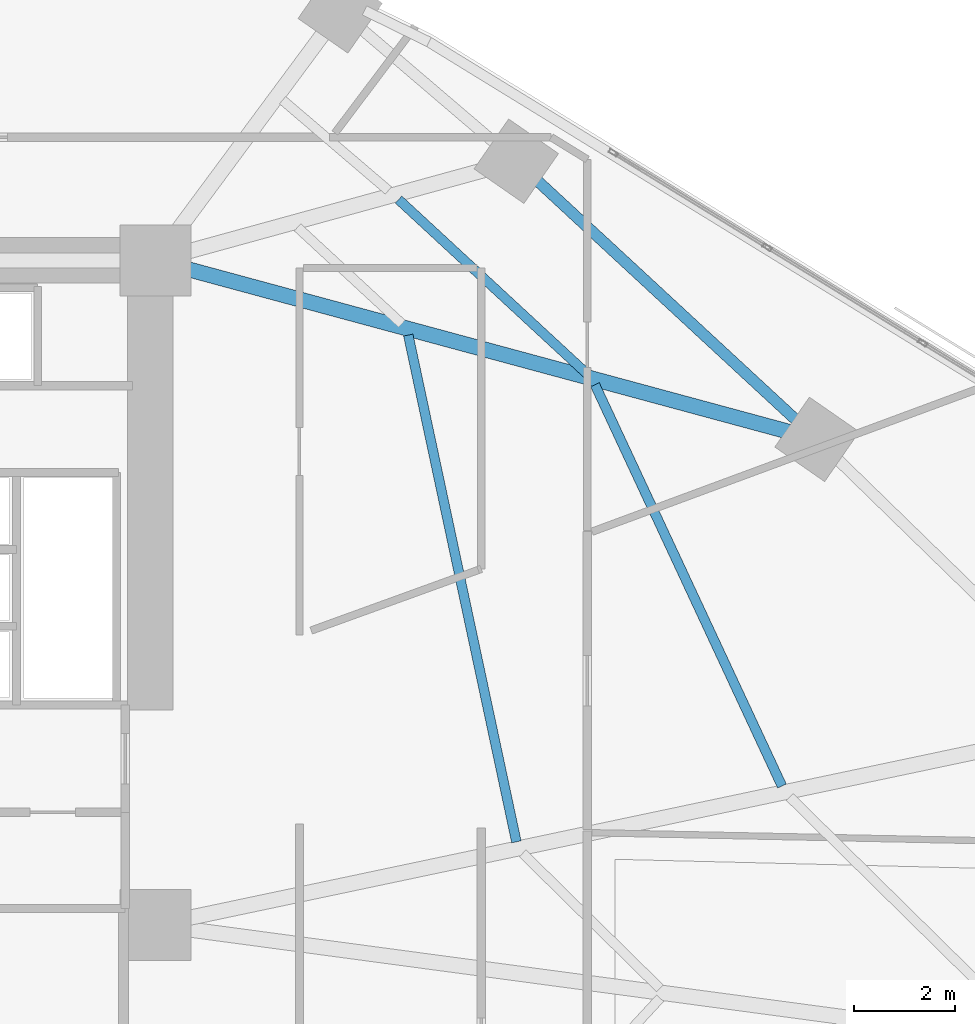
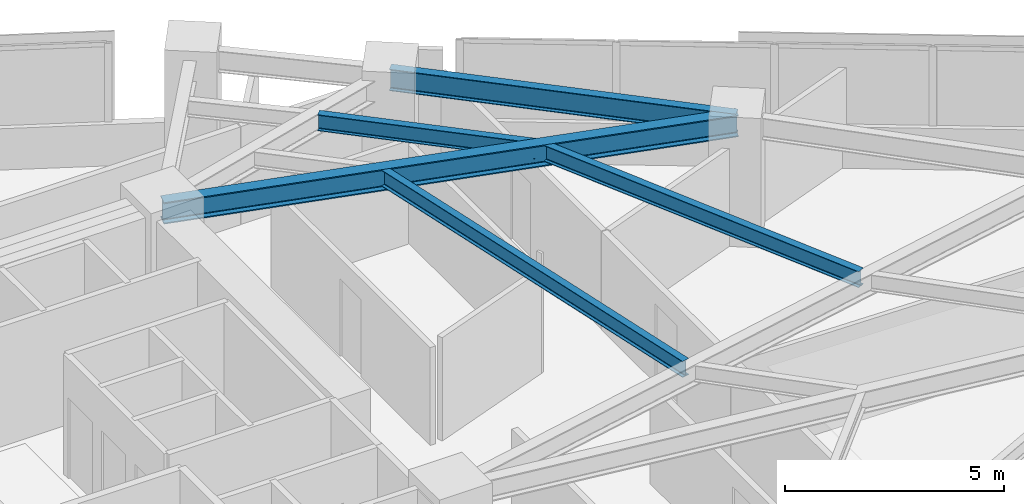
# One storey, part 5 of 18: 5 beams.
"""IFC4 building model written with IfcOpenShell, lengths in metres."""

from ifc_helpers import new_model, si_unit, direction, frame, origin, origin_2d, place, context, subcontext, project, spatial, i_section, extrude, material, material_profile, profile_set, type_object, element, save


model = new_model("IFC4")

# Units and contexts
model_context = context("Model", 3, precision=1e-05, world=origin(), true_north=direction((0.0, 1.0)))
body_context = subcontext(model_context, "Body", "Model", "MODEL_VIEW")
ifc_project = project(units=[si_unit("LENGTHUNIT", "METRE"), si_unit("AREAUNIT", "SQUARE_METRE"), si_unit("VOLUMEUNIT", "CUBIC_METRE"), si_unit("PLANEANGLEUNIT", "RADIAN"), si_unit("MASSUNIT", "GRAM", prefix="KILO")], contexts=[model_context])

# Site, building, storey
site_placement = place(None, origin())
site = spatial("IfcSite", under=ifc_project, at=site_placement, CompositionType="ELEMENT")
building_placement = place(site_placement, origin())
building = spatial("IfcBuilding", under=site, at=building_placement, Name="Narakoshi Arena Tower", CompositionType="ELEMENT")
storey_placement = place(building_placement, frame((0.0, 0.0, 106.5)))
storey = spatial("IfcBuildingStorey", under=building, at=storey_placement, Name="L28", CompositionType="ELEMENT", Elevation=106.5)

# Beams
ifc_material = material(Name="Structural steel S355J2", Category="steel")
ifc_material_profile_1 = material_profile(ifc_material, i_section(OverallWidth=0.219970703125, OverallDepth=0.60009765625, WebThickness=0.011962890625, FlangeThickness=0.01904296875, FilletRadius=0.02392578125, at=origin_2d()), Name="IPE600")
ifc_profile_set_1 = profile_set([ifc_material_profile_1], Name="Structural steel S355J2")
beam_type_1 = type_object("IfcBeamType", Name="BM-EDGE-600", PredefinedType="BEAM", material=ifc_profile_set_1)
beam_1_placement = place(storey_placement, frame((98.641357421875, 52.95849609375, 3.0400390625), z_axis=(-0.734140347065, 0.678997754643, 0.0), x_axis=(-0.678997754643, -0.734140347065, 0.0)))
element("IfcBeam", 1, at=beam_1_placement, inside=storey, type_object=beam_type_1, Name="L28 Perimeter Edge Girder 06", PredefinedType="BEAM", context=body_context, shape_type="SweptSolid", body=[
    extrude(i_section(OverallWidth=0.219970703125, OverallDepth=0.60009765625, WebThickness=0.011962890625, FlangeThickness=0.01904296875, FilletRadius=0.02392578125, at=origin_2d()), origin(), (0.0, 0.0, 1.0), 8.106689453125),
])
ifc_material_profile_2 = material_profile(ifc_material, i_section(OverallWidth=0.300048828125, OverallDepth=0.60009765625, WebThickness=0.015380859375, FlangeThickness=0.030029296875, FilletRadius=0.027099609375, at=origin_2d()), Name="HE600B")
ifc_profile_set_2 = profile_set([ifc_material_profile_2], Name="Structural steel S355J2")
beam_type_2 = type_object("IfcBeamType", Name="BM-PRI-600", PredefinedType="BEAM", material=ifc_profile_set_2)
beam_2_placement = place(storey_placement, frame((85.550048828125, 56.5, 3.0400390625), z_axis=(0.965301848216, -0.261136634408, 0.0), x_axis=(0.261136634408, 0.965301848216, 0.0)))
element("IfcBeam", 2, at=beam_2_placement, inside=storey, type_object=beam_type_2, Name="L28 Radial Primary Floor Girder 06", PredefinedType="BEAM", context=body_context, shape_type="SweptSolid", body=[
    extrude(i_section(OverallWidth=0.300048828125, OverallDepth=0.60009765625, WebThickness=0.015380859375, FlangeThickness=0.030029296875, FilletRadius=0.027099609375, at=origin_2d()), origin(), (0.0, 0.0, 1.0), 13.561767578125),
])
ifc_material_profile_3 = material_profile(ifc_material, i_section(OverallWidth=0.18994140625, OverallDepth=0.449951171875, WebThickness=0.009521484375, FlangeThickness=0.0146484375, FilletRadius=0.02099609375, at=origin_2d()), Name="IPE450")
ifc_profile_set_3 = profile_set([ifc_material_profile_3], Name="Structural steel S355J2")
beam_type_3 = type_object("IfcBeamType", Name="BM-SEC-450", PredefinedType="JOIST", material=ifc_profile_set_3)
beam_3_placement = place(storey_placement, frame((92.692626953125, 44.99462890625, 3.114990234375), z_axis=(-0.208678554526, 0.977984284578, 0.0), x_axis=(-0.977984284578, -0.208678554526, 0.0)))
element("IfcBeam", 3, at=beam_3_placement, inside=storey, type_object=beam_type_3, Name="L28 Composite Secondary Floor Joist 05", PredefinedType="JOIST", context=body_context, shape_type="SweptSolid", body=[
    extrude(i_section(OverallWidth=0.18994140625, OverallDepth=0.449951171875, WebThickness=0.009521484375, FlangeThickness=0.0146484375, FilletRadius=0.02099609375, at=origin_2d()), origin(), (0.0, 0.0, 1.0), 10.25341796875),
])
beam_4_placement = place(storey_placement, frame((97.947509765625, 46.099609375, 3.114990234375), z_axis=(-0.422374306876, 0.906421505091, 0.0), x_axis=(-0.906421505091, -0.422374306876, 0.0)))
element("IfcBeam", 4, at=beam_4_placement, inside=storey, type_object=beam_type_3, Name="L28 Composite Secondary Floor Joist 06", PredefinedType="JOIST", context=body_context, shape_type="SweptSolid", body=[
    extrude(i_section(OverallWidth=0.18994140625, OverallDepth=0.449951171875, WebThickness=0.009521484375, FlangeThickness=0.0146484375, FilletRadius=0.02099609375, at=origin_2d()), origin(), (0.0, 0.0, 1.0), 8.760498046875),
])
beam_5_placement = place(storey_placement, frame((94.09130859375, 54.25439453125, 3.114990234375), z_axis=(-0.734174891282, 0.678960403124, 0.0), x_axis=(-0.678960403124, -0.734174891282, 0.0)))
element("IfcBeam", 5, at=beam_5_placement, inside=storey, type_object=beam_type_3, Name="L28 Composite Secondary Floor Joist 08", PredefinedType="JOIST", context=body_context, shape_type="SweptSolid", body=[
    extrude(i_section(OverallWidth=0.18994140625, OverallDepth=0.449951171875, WebThickness=0.009521484375, FlangeThickness=0.0146484375, FilletRadius=0.02099609375, at=origin_2d()), origin(), (0.0, 0.0, 1.0), 5.08056640625),
])

save(model, "model.ifc")
